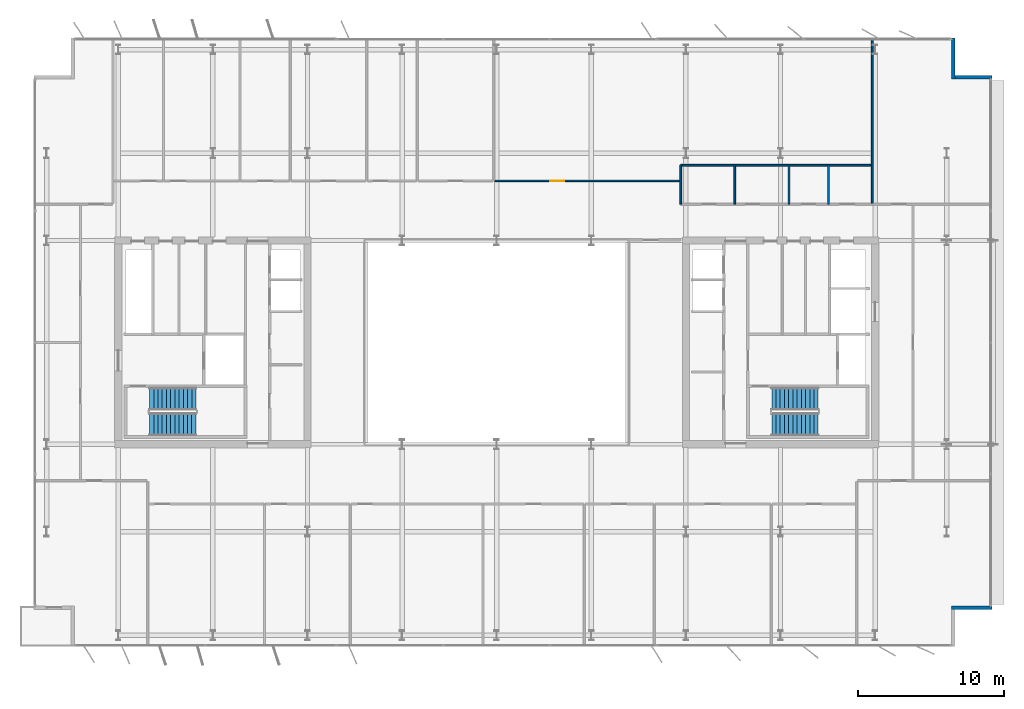
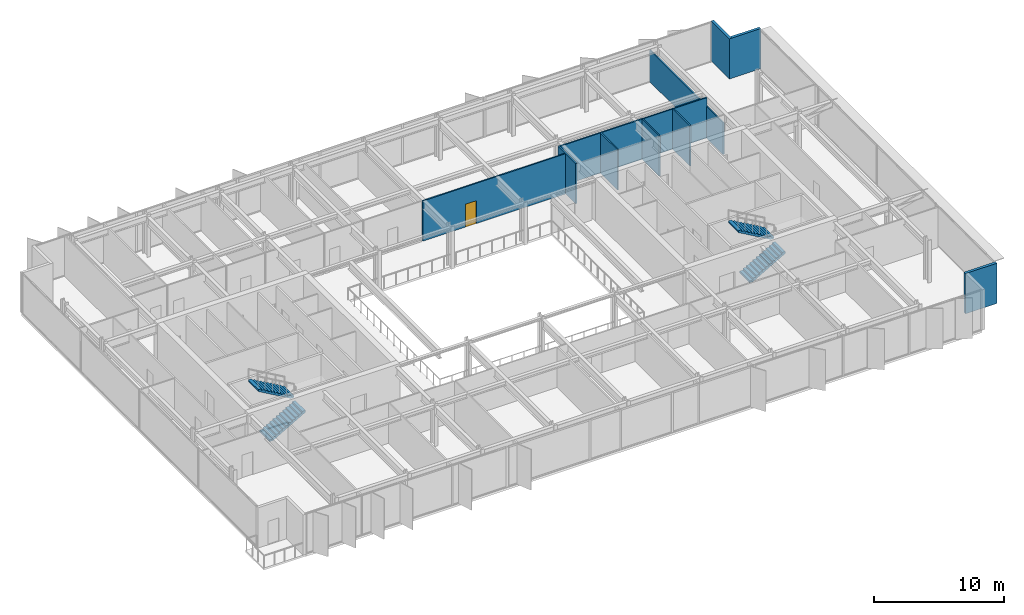
# One storey, part 16 of 20: 10 walls, 4 stair flights, 1 door, 1 opening, 2 elements without a shape of their own.
"""IFC4 building model written with IfcOpenShell, lengths in metres."""

from ifc_helpers import new_model, si_unit, direction, frame, frame_2d, origin, place, context, subcontext, project, spatial, polyline, rectangle, outline, extrude, material, layer, layer_set, type_object, element, fill, aggregate, save


model = new_model("IFC4")

# Units and contexts
model_context = context("Model", 3, precision=1e-05, world=origin(), true_north=direction((0.0, 1.0)))
body_context = subcontext(model_context, "Body", "Model", "MODEL_VIEW")
ifc_project = project(units=[si_unit("LENGTHUNIT", "METRE"), si_unit("AREAUNIT", "SQUARE_METRE"), si_unit("VOLUMEUNIT", "CUBIC_METRE"), si_unit("PLANEANGLEUNIT", "RADIAN"), si_unit("MASSUNIT", "GRAM", prefix="KILO")], contexts=[model_context])

# Site, building, storey
site_placement = place(None, origin())
site = spatial("IfcSite", under=ifc_project, at=site_placement, CompositionType="ELEMENT")
building_placement = place(site_placement, origin())
building = spatial("IfcBuilding", under=site, at=building_placement, Name="Putna Gate Headquarters", CompositionType="ELEMENT")
storey_placement = place(building_placement, frame((0.0, 0.0, 286.39990234375)))
storey = spatial("IfcBuildingStorey", under=building, at=storey_placement, Name="L72", CompositionType="ELEMENT", Elevation=286.39990234375)

# Walls
ifc_material_1 = material(Name="Precast concrete C40/50", Category="concrete")
ifc_layer_1 = layer(ifc_material_1, 0.239990234375)
ifc_layer_set_1 = layer_set([ifc_layer_1], Name="Precast concrete C40/50")
wall_type_1 = type_object("IfcWallType", Name="WALL-EXT-TERR-240", PredefinedType="STANDARD", material=ifc_layer_set_1)
wall_1_placement = place(storey_placement, frame((70.35498046875, 46.89990234375, 0.0), z_axis=(0.0, 0.0, 1.0), x_axis=(0.0, -1.0, 0.0)))
element("IfcWall", 1, at=wall_1_placement, inside=storey, type_object=wall_type_1, Name="L72 Corner Notch Return Wall NE-V", PredefinedType="STANDARD", context=body_context, shape_type="SweptSolid", body=[
    extrude(rectangle(XDim=2.7998046875, YDim=0.239990234375, at=frame_2d((1.39990234375, 0.0))), origin(), (0.0, 0.0, 1.0), 3.7880859375),
])
for number, where, z_axis, x_axis, name in (
    (2, (70.235107421875, 44.219970703125, 0.0), (0.0, 0.0, 1.0), (1.0, 0.0, 0.0), "L72 Corner Notch Return Wall NE-H"),
    (3, (73.03515625, 7.780029296875, 0.0), (0.0, 0.0, 1.0), (-1.0, 0.0, 0.0), "L72 Corner Notch Return Wall SE-H"),
):
    element("IfcWall", number, at=place(storey_placement, frame(where, z_axis=z_axis, x_axis=x_axis)), inside=storey, type_object=wall_type_1, Name=name, PredefinedType="STANDARD", context=body_context, shape_type="SweptSolid", body=[
        extrude(rectangle(XDim=2.800048828125, YDim=0.239990234375, at=frame_2d((1.39990234375, 0.0))), origin(), (0.0, 0.0, 1.0), 3.7880859375),
    ])
ifc_material_2 = material(Name="Acoustic gypsum board on metal stud")
ifc_layer_2 = layer(ifc_material_2, 0.1201171875)
ifc_layer_set_2 = layer_set([ifc_layer_2], Name="Acoustic gypsum board on metal stud")
wall_type_2 = type_object("IfcWallType", Name="WALL-PART-120", PredefinedType="PARTITIONING", material=ifc_layer_set_2)
wall_2_placement = place(storey_placement, frame((64.800048828125, 35.56005859375, 0.0), z_axis=(0.0, 0.0, 1.0), x_axis=(0.0, 1.0, 0.0)))
element("IfcWall", 4, at=wall_2_placement, inside=storey, type_object=wall_type_2, Name="L72 Interior Wall PART-L72-NB-DIV-08", PredefinedType="PARTITIONING", context=body_context, shape_type="SweptSolid", body=[
    extrude(rectangle(XDim=11.31982421875, YDim=0.1201171875, at=frame_2d((5.659912109375, 0.0))), origin(), (0.0, 0.0, 1.0), 2.988037109375),
])
ifc_material_3 = material(Name="Fire-rated gypsum board on metal stud")
ifc_layer_3 = layer(ifc_material_3, 0.1201171875)
ifc_layer_set_3 = layer_set([ifc_layer_3], Name="Fire-rated gypsum board on metal stud")
wall_type_3 = type_object("IfcWallType", Name="WALL-PART-120-RATED", PredefinedType="PARTITIONING", material=ifc_layer_set_3)
wall_3_placement = place(storey_placement, frame((51.639892578125, 38.179931640625, 0.0), z_axis=(0.0, 0.0, 1.0), x_axis=(1.0, 0.0, 0.0)))
element("IfcWall", 5, at=wall_3_placement, inside=storey, type_object=wall_type_3, Name="L72 Interior Wall PART-L72-SAN-BACK", PredefinedType="PARTITIONING", context=body_context, shape_type="SweptSolid", body=[
    extrude(rectangle(XDim=13.16015625, YDim=0.1201171875, at=frame_2d((6.580078125, 0.0))), origin(), (0.0, 0.0, 1.0), 3.7880859375),
])
for number, where, z_axis, x_axis, name in (
    (6, (51.639892578125, 35.5, 0.0), (0.0, 0.0, 1.0), (0.0, 1.0, 0.0), "L72 Interior Wall PART-L72-SAN-DIV-1"),
    (7, (55.360107421875, 35.5, 0.0), (0.0, 0.0, 1.0), (0.0, 1.0, 0.0), "L72 Interior Wall PART-L72-SAN-DIV-2"),
    (8, (59.080078125, 35.5, 0.0), (0.0, 0.0, 1.0), (0.0, 1.0, 0.0), "L72 Interior Wall PART-L72-SAN-DIV-3"),
    (9, (61.800048828125, 35.5, 0.0), (0.0, 0.0, 1.0), (0.0, 1.0, 0.0), "L72 Interior Wall PART-L72-SAN-DIV-4"),
):
    element("IfcWall", number, at=place(storey_placement, frame(where, z_axis=z_axis, x_axis=x_axis)), inside=storey, type_object=wall_type_3, Name=name, PredefinedType="PARTITIONING", context=body_context, shape_type="SweptSolid", body=[
        extrude(rectangle(XDim=2.679931640625, YDim=0.1201171875, at=frame_2d((1.33984375, 0.0))), origin(), (0.0, 0.0, 1.0), 3.7880859375),
    ])

# Wall, opening, door
wall_4_placement = place(storey_placement, frame((38.860107421875, 37.10009765625, 0.0), z_axis=(0.0, 0.0, 1.0), x_axis=(1.0, 0.0, 0.0)))
wall_4 = element("IfcWall", 10, at=wall_4_placement, inside=storey, type_object=wall_type_3, Name="L72 Interior Wall PART-L72-NB-CW-08", PredefinedType="PARTITIONING", context=body_context, shape_type="SweptSolid", body=[
    extrude(rectangle(XDim=12.719970703125, YDim=0.1201171875, at=frame_2d((6.35986328125, 0.0))), origin(), (0.0, 0.0, 1.0), 3.7880859375),
])
opening_placement = place(wall_4_placement, frame((3.81591796875, 0.0, 0.0)))
opening = element("IfcOpeningElement", 11, at=opening_placement, cuts=wall_4, Name="Opening FD-95", PredefinedType="OPENING", context=body_context, shape_type="SweptSolid", body=[
    extrude(rectangle(XDim=0.949951171875, YDim=2.14990234375, at=frame_2d((0.47509765625, 1.074951171875))), frame((0.0, 0.070068359375, 0.0), z_axis=(0.0, -1.0, 0.0), x_axis=(1.0, 0.0, 0.0)), (0.0, 0.0, 1.0), 0.14013671875),
])
ifc_material_4 = material(Name="Acoustic timber fire door", Category="wood")
door_type = type_object("IfcDoorType", Name="DOOR-FIRE-950", OperationType="NOTDEFINED", PredefinedType="DOOR", material=ifc_material_4)
door_placement = place(opening_placement, origin())
door = element("IfcDoor", 12, at=door_placement, inside=storey, type_object=door_type, Name="L72 Primary Open Office Workplace Door", OperationType="SINGLE_SWING_LEFT", OverallHeight=2.14990234375, OverallWidth=0.949951171875, PredefinedType="DOOR", context=body_context, shape_type="SweptSolid", body=[
    extrude(rectangle(XDim=0.949951171875, YDim=2.14990234375, at=frame_2d((0.47509765625, 1.074951171875))), frame((0.0, 0.02490234375, 0.0), z_axis=(0.0, -1.0, 0.0), x_axis=(1.0, 0.0, 0.0)), (0.0, 0.0, 1.0), 0.050048828125),
])
fill(opening, door)

# Stair, stair flights
ifc_material_5 = material(Name="Concrete C40/50", Category="concrete")
stair_type_1 = type_object("IfcStairType", Name="STAIR-ST1", PredefinedType="HALF_TURN_STAIR", material=ifc_material_5)
stair_1_placement = place(storey_placement, origin())
stair_1 = element("IfcStair", 13, at=stair_1_placement, inside=storey, type_object=stair_type_1, Name="L72 West Core Exit Stair ST1", PredefinedType="HALF_TURN_STAIR")
stair_flight_type_1 = type_object("IfcStairFlightType", Name="FLIGHT-ST1", PredefinedType="STRAIGHT", material=ifc_material_5)
stair_flight_1_placement = place(storey_placement, frame((15.14990234375, 20.375, 0.0), z_axis=(0.0, 0.0, 1.0), x_axis=(1.0, 0.0, 0.0)))
stair_flight_1 = element("IfcStairFlight", 14, at=stair_flight_1_placement, type_object=stair_flight_type_1, Name="ST1 flight 1", NumberOfRisers=12, NumberOfTreads=11, PredefinedType="STRAIGHT", RiserHeight=0.166666667, TreadLength=0.29, context=body_context, shape_type="SweptSolid", body=[
    extrude(outline(polyline([(0.0, 0.0), (0.0, 0.166748046875), (0.2900390625, 0.166748046875), (0.2900390625, 0.333251953125), (0.580078125, 0.333251953125), (0.580078125, 0.5), (0.8701171875, 0.5), (0.8701171875, 0.666748046875), (1.159912109375, 0.666748046875), (1.159912109375, 0.833251953125), (1.449951171875, 0.833251953125), (1.449951171875, 1.0), (1.739990234375, 1.0), (1.739990234375, 1.166748046875), (2.030029296875, 1.166748046875), (2.030029296875, 1.333251953125), (2.320068359375, 1.333251953125), (2.320068359375, 1.5), (2.610107421875, 1.5), (2.610107421875, 1.666748046875), (2.89990234375, 1.666748046875), (2.89990234375, 1.833251953125), (3.18994140625, 1.833251953125), (3.18994140625, 2.0), (3.18994140625, 1.660400390625), (0.30078125, 0.0), (0.0, 0.0)])), frame((0.0, 0.77490234375, 0.0), z_axis=(0.0, -1.0, 0.0), x_axis=(1.0, 0.0, 0.0)), (0.0, 0.0, 1.0), 1.550048828125),
])
stair_flight_2_placement = place(storey_placement, frame((18.340087890625, 22.125, 2.0), z_axis=(0.0, 0.0, 1.0), x_axis=(-1.0, 0.0, 0.0)))
stair_flight_2 = element("IfcStairFlight", 15, at=stair_flight_2_placement, type_object=stair_flight_type_1, Name="ST1 flight 2", NumberOfRisers=12, NumberOfTreads=11, PredefinedType="STRAIGHT", RiserHeight=0.166666667, TreadLength=0.29, context=body_context, shape_type="SweptSolid", body=[
    extrude(outline(polyline([(0.0, 0.0), (0.0, 0.166748046875), (0.2900390625, 0.166748046875), (0.2900390625, 0.333251953125), (0.580078125, 0.333251953125), (0.580078125, 0.5), (0.8701171875, 0.5), (0.8701171875, 0.666748046875), (1.159912109375, 0.666748046875), (1.159912109375, 0.833251953125), (1.449951171875, 0.833251953125), (1.449951171875, 1.0), (1.739990234375, 1.0), (1.739990234375, 1.166748046875), (2.030029296875, 1.166748046875), (2.030029296875, 1.333251953125), (2.320068359375, 1.333251953125), (2.320068359375, 1.5), (2.610107421875, 1.5), (2.610107421875, 1.666748046875), (2.89990234375, 1.666748046875), (2.89990234375, 1.833251953125), (3.18994140625, 1.833251953125), (3.18994140625, 2.0), (3.18994140625, 1.660400390625), (0.30078125, 0.0), (0.0, 0.0)])), frame((0.0, 0.77490234375, 0.0), z_axis=(0.0, -1.0, 0.0), x_axis=(1.0, 0.0, 0.0)), (0.0, 0.0, 1.0), 1.550048828125),
])
aggregate(stair_1, [stair_flight_1, stair_flight_2])

stair_type_2 = type_object("IfcStairType", Name="STAIR-ST2", PredefinedType="HALF_TURN_STAIR", material=ifc_material_5)
stair_2_placement = place(storey_placement, origin())
stair_2 = element("IfcStair", 16, at=stair_2_placement, inside=storey, type_object=stair_type_2, Name="L72 East Core Exit Stair ST2", PredefinedType="HALF_TURN_STAIR")
stair_flight_type_2 = type_object("IfcStairFlightType", Name="FLIGHT-ST2", PredefinedType="STRAIGHT", material=ifc_material_5)
stair_flight_3_placement = place(storey_placement, frame((57.89990234375, 20.375, 0.0), z_axis=(0.0, 0.0, 1.0), x_axis=(1.0, 0.0, 0.0)))
stair_flight_3 = element("IfcStairFlight", 17, at=stair_flight_3_placement, type_object=stair_flight_type_2, Name="ST2 flight 1", NumberOfRisers=12, NumberOfTreads=11, PredefinedType="STRAIGHT", RiserHeight=0.166666667, TreadLength=0.29, context=body_context, shape_type="SweptSolid", body=[
    extrude(outline(polyline([(0.0, 0.0), (0.0, 0.166748046875), (0.2900390625, 0.166748046875), (0.2900390625, 0.333251953125), (0.580078125, 0.333251953125), (0.580078125, 0.5), (0.8701171875, 0.5), (0.8701171875, 0.666748046875), (1.159912109375, 0.666748046875), (1.159912109375, 0.833251953125), (1.449951171875, 0.833251953125), (1.449951171875, 1.0), (1.739990234375, 1.0), (1.739990234375, 1.166748046875), (2.030029296875, 1.166748046875), (2.030029296875, 1.333251953125), (2.320068359375, 1.333251953125), (2.320068359375, 1.5), (2.610107421875, 1.5), (2.610107421875, 1.666748046875), (2.89990234375, 1.666748046875), (2.89990234375, 1.833251953125), (3.18994140625, 1.833251953125), (3.18994140625, 2.0), (3.18994140625, 1.660400390625), (0.30078125, 0.0), (0.0, 0.0)])), frame((0.0, 0.77490234375, 0.0), z_axis=(0.0, -1.0, 0.0), x_axis=(1.0, 0.0, 0.0)), (0.0, 0.0, 1.0), 1.550048828125),
])
stair_flight_4_placement = place(storey_placement, frame((61.090087890625, 22.125, 2.0), z_axis=(0.0, 0.0, 1.0), x_axis=(-1.0, 0.0, 0.0)))
stair_flight_4 = element("IfcStairFlight", 18, at=stair_flight_4_placement, type_object=stair_flight_type_2, Name="ST2 flight 2", NumberOfRisers=12, NumberOfTreads=11, PredefinedType="STRAIGHT", RiserHeight=0.166666667, TreadLength=0.29, context=body_context, shape_type="SweptSolid", body=[
    extrude(outline(polyline([(0.0, 0.0), (0.0, 0.166748046875), (0.2900390625, 0.166748046875), (0.2900390625, 0.333251953125), (0.580078125, 0.333251953125), (0.580078125, 0.5), (0.8701171875, 0.5), (0.8701171875, 0.666748046875), (1.159912109375, 0.666748046875), (1.159912109375, 0.833251953125), (1.449951171875, 0.833251953125), (1.449951171875, 1.0), (1.739990234375, 1.0), (1.739990234375, 1.166748046875), (2.030029296875, 1.166748046875), (2.030029296875, 1.333251953125), (2.320068359375, 1.333251953125), (2.320068359375, 1.5), (2.610107421875, 1.5), (2.610107421875, 1.666748046875), (2.89990234375, 1.666748046875), (2.89990234375, 1.833251953125), (3.18994140625, 1.833251953125), (3.18994140625, 2.0), (3.18994140625, 1.660400390625), (0.30078125, 0.0), (0.0, 0.0)])), frame((0.0, 0.77490234375, 0.0), z_axis=(0.0, -1.0, 0.0), x_axis=(1.0, 0.0, 0.0)), (0.0, 0.0, 1.0), 1.550048828125),
])
aggregate(stair_2, [stair_flight_3, stair_flight_4])

save(model, "model.ifc")
